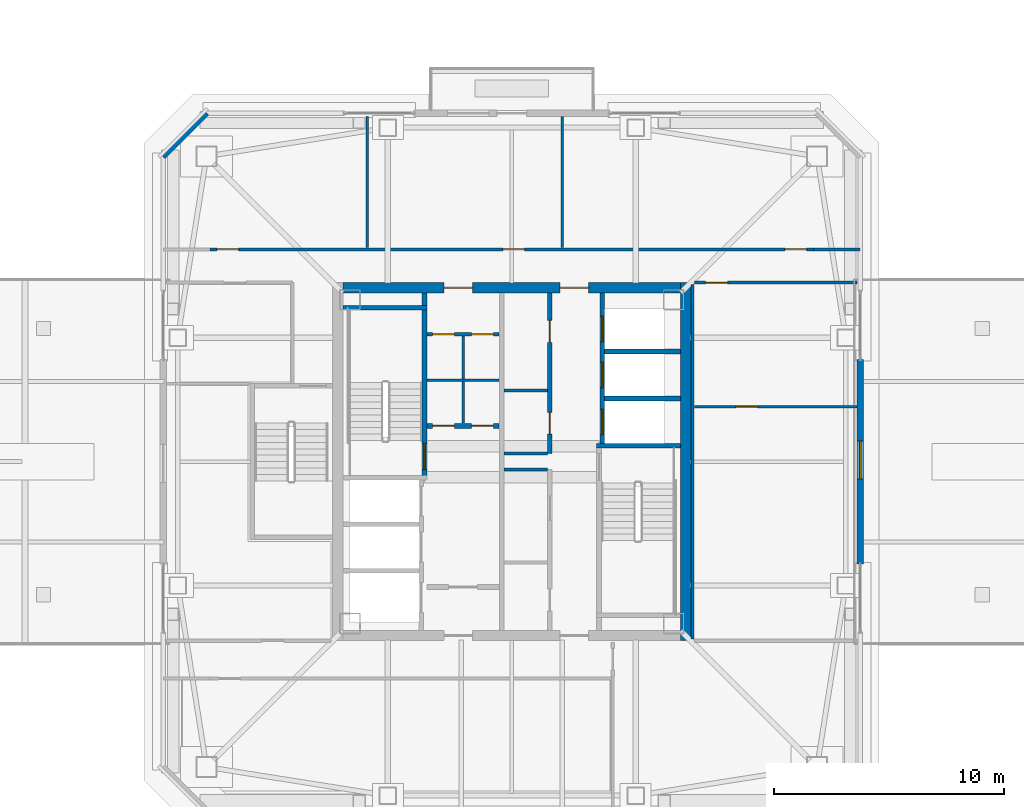
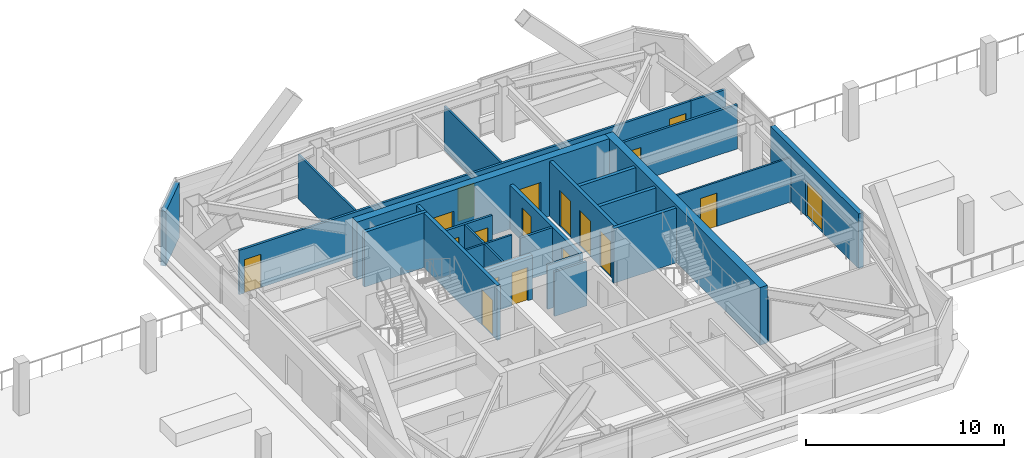
# One storey, part 28 of 37: 25 walls, 18 doors, 18 openings.
"""IFC4 building model written with IfcOpenShell, lengths in metres."""

from ifc_helpers import new_model, si_unit, direction, frame, frame_2d, origin, place, context, subcontext, project, spatial, rectangle, extrude, material, layer, layer_set, type_object, element, fill, save


model = new_model("IFC4")

# Units and contexts
model_context = context("Model", 3, precision=1e-05, world=origin(), true_north=direction((0.0, 1.0)))
body_context = subcontext(model_context, "Body", "Model", "MODEL_VIEW")
ifc_project = project(units=[si_unit("LENGTHUNIT", "METRE"), si_unit("AREAUNIT", "SQUARE_METRE"), si_unit("VOLUMEUNIT", "CUBIC_METRE"), si_unit("PLANEANGLEUNIT", "RADIAN"), si_unit("MASSUNIT", "GRAM", prefix="KILO")], contexts=[model_context])

# Site, building, storey
site_placement = place(None, origin())
site = spatial("IfcSite", under=ifc_project, at=site_placement, CompositionType="ELEMENT")
building_placement = place(site_placement, origin())
building = spatial("IfcBuilding", under=site, at=building_placement, Name="Tashvorn Skyway Center", CompositionType="ELEMENT")
storey_placement = place(building_placement, frame((0.0, 0.0, 263.39990234375)))
storey = spatial("IfcBuildingStorey", under=building, at=storey_placement, Name="L71", CompositionType="ELEMENT", Elevation=263.39990234375)

# Wall
ifc_material_1 = material(Name="Concrete C50/60", Category="concrete")
ifc_layer_1 = layer(ifc_material_1, 0.449951171875)
ifc_layer_set_1 = layer_set([ifc_layer_1], Name="Concrete C50/60")
wall_type_1 = type_object("IfcWallType", Name="WALL-CORE-450", PredefinedType="SHEAR", material=ifc_layer_set_1)
wall_1_placement = place(storey_placement, frame((49.574951171875, 39.800048828125, 0.0), z_axis=(0.0, 0.0, 1.0), x_axis=(0.0, -1.0, 0.0)))
element("IfcWall", 1, at=wall_1_placement, inside=storey, type_object=wall_type_1, Name="Tower 1 L71 East Core Shear Wall", PredefinedType="SHEAR", context=body_context, shape_type="SweptSolid", body=[
    extrude(rectangle(XDim=15.60009765625, YDim=0.449951171875, at=frame_2d((7.800048828125, 0.0))), origin(), (0.0, 0.0, 1.0), 3.550048828125),
])

# Wall, openings, doors
wall_2_placement = place(storey_placement, frame((34.64990234375, 39.574951171875, 0.0), z_axis=(0.0, 0.0, 1.0), x_axis=(1.0, 0.0, 0.0)))
wall_2 = element("IfcWall", 2, at=wall_2_placement, inside=storey, type_object=wall_type_1, Name="Tower 1 L71 North Core Shear Wall", PredefinedType="SHEAR", context=body_context, shape_type="SweptSolid", body=[
    extrude(rectangle(XDim=14.7001953125, YDim=0.449951171875, at=frame_2d((7.35009765625, 0.0))), origin(), (0.0, 0.0, 1.0), 3.550048828125),
])
opening_1_placement = place(wall_2_placement, frame((4.39990234375, 0.0, 0.0)))
opening_1 = element("IfcOpeningElement", 3, at=opening_1_placement, cuts=wall_2, Name="Opening D-FFL-1250", PredefinedType="OPENING", context=body_context, shape_type="SweptSolid", body=[
    extrude(rectangle(XDim=1.25, YDim=2.25, at=frame_2d((0.625, 1.125))), frame((0.0, 0.23486328125, 0.0), z_axis=(0.0, -1.0, 0.0), x_axis=(1.0, 0.0, 0.0)), (0.0, 0.0, 1.0), 0.469970703125),
])
opening_2_placement = place(wall_2_placement, frame((9.449951171875, 0.0, 0.0)))
opening_2 = element("IfcOpeningElement", 4, at=opening_2_placement, cuts=wall_2, Name="Opening D-FFL-1250", PredefinedType="OPENING", context=body_context, shape_type="SweptSolid", body=[
    extrude(rectangle(XDim=1.25, YDim=2.25, at=frame_2d((0.625, 1.125))), frame((0.0, 0.23486328125, 0.0), z_axis=(0.0, -1.0, 0.0), x_axis=(1.0, 0.0, 0.0)), (0.0, 0.0, 1.0), 0.469970703125),
])
ifc_material_2 = material(Name="Hollow galvanized steel fire door assembly", Category="steel")
door_type_1 = type_object("IfcDoorType", Name="DOOR-FFL-1250", OperationType="NOTDEFINED", PredefinedType="DOOR", material=ifc_material_2)
door_1_placement = place(opening_1_placement, origin())
door_1 = element("IfcDoor", 5, at=door_1_placement, inside=storey, type_object=door_type_1, Name="Tower 1 L71 Core North Service Lobby Door", OperationType="SINGLE_SWING_LEFT", OverallHeight=2.25, OverallWidth=1.25, PredefinedType="DOOR", context=body_context, shape_type="SweptSolid", body=[
    extrude(rectangle(XDim=1.25, YDim=2.25, at=frame_2d((0.625, 1.125))), frame((0.0, 0.02490234375, 0.0), z_axis=(0.0, -1.0, 0.0), x_axis=(1.0, 0.0, 0.0)), (0.0, 0.0, 1.0), 0.050048828125),
])
fill(opening_1, door_1)
door_2_placement = place(opening_2_placement, origin())
door_2 = element("IfcDoor", 6, at=door_2_placement, inside=storey, type_object=door_type_1, Name="Tower 1 L71 Core North Lift Lobby Door", OperationType="SINGLE_SWING_RIGHT", OverallHeight=2.25, OverallWidth=1.25, PredefinedType="DOOR", context=body_context, shape_type="SweptSolid", body=[
    extrude(rectangle(XDim=1.25, YDim=2.25, at=frame_2d((0.625, 1.125))), frame((0.0, 0.02490234375, 0.0), z_axis=(0.0, -1.0, 0.0), x_axis=(1.0, 0.0, 0.0)), (0.0, 0.0, 1.0), 0.050048828125),
])
fill(opening_2, door_2)

# Wall, opening, door
ifc_material_3 = material(Name="Precast concrete C40/50", Category="concrete")
ifc_layer_2 = layer(ifc_material_3, 0.280029296875)
ifc_layer_set_2 = layer_set([ifc_layer_2], Name="Precast concrete C40/50")
wall_type_2 = type_object("IfcWallType", Name="WALL-EXT-280", PredefinedType="SOLIDWALL", material=ifc_layer_set_2)
wall_3_placement = place(storey_placement, frame((57.179931640625, 36.449951171875, 0.0), z_axis=(0.0, 0.0, 1.0), x_axis=(0.0, -1.0, 0.0)))
wall_3 = element("IfcWall", 7, at=wall_3_placement, inside=storey, type_object=wall_type_2, Name="Tower 1 L71 East Sky-Park Promenade Portal Wall", PredefinedType="SOLIDWALL", context=body_context, shape_type="SweptSolid", body=[
    extrude(rectangle(XDim=8.89990234375, YDim=0.280029296875, at=frame_2d((4.449951171875, 0.0))), origin(), (0.0, 0.0, 1.0), 3.3701171875),
])
opening_3_placement = place(wall_3_placement, frame((3.550048828125, 0.0, 0.0)))
opening_3 = element("IfcOpeningElement", 8, at=opening_3_placement, cuts=wall_3, Name="Opening D-TER-1650", PredefinedType="OPENING", context=body_context, shape_type="SweptSolid", body=[
    extrude(rectangle(XDim=1.64990234375, YDim=2.199951171875, at=frame_2d((0.824951171875, 1.10009765625))), frame((0.0, 0.14990234375, 0.0), z_axis=(0.0, -1.0, 0.0), x_axis=(1.0, 0.0, 0.0)), (0.0, 0.0, 1.0), 0.300048828125),
])
ifc_material_4 = material(Name="Thermally broken bronze-anodized aluminium 6063-T6", Category="aluminium")
door_type_2 = type_object("IfcDoorType", Name="DOOR-TERR-1650", OperationType="DOUBLE_DOOR_SINGLE_SWING", PredefinedType="DOOR", material=ifc_material_4)
door_3_placement = place(opening_3_placement, origin())
door_3 = element("IfcDoor", 9, at=door_3_placement, inside=storey, type_object=door_type_2, Name="Tower 1 L71 East Sky-Park Promenade Double Door", OperationType="DOUBLE_DOOR_SINGLE_SWING", OverallHeight=2.199951171875, OverallWidth=1.64990234375, PredefinedType="DOOR", context=body_context, shape_type="SweptSolid", body=[
    extrude(rectangle(XDim=1.64990234375, YDim=2.199951171875, at=frame_2d((0.824951171875, 1.10009765625))), frame((0.0, 0.02490234375, 0.0), z_axis=(0.0, -1.0, 0.0), x_axis=(1.0, 0.0, 0.0)), (0.0, 0.0, 1.0), 0.050048828125),
])
fill(opening_3, door_3)

# Wall
wall_4_placement = place(storey_placement, frame((26.800048828125, 45.300048828125, 0.0), z_axis=(0.0, 0.0, 1.0), x_axis=(0.707106781187, 0.707106781187, 0.0)))
element("IfcWall", 10, at=wall_4_placement, inside=storey, type_object=wall_type_2, Name="Tower 1 L71 NW Precast Chamfer Wall", PredefinedType="SOLIDWALL", context=body_context, shape_type="SweptSolid", body=[
    extrude(rectangle(XDim=2.686767578125, YDim=0.280029296875, at=frame_2d((1.34326171875, 0.0))), origin(), (0.0, 0.0, 1.0), 3.3701171875),
])

# Wall, openings, doors
ifc_material_5 = material(Name="Concrete C40/50", Category="concrete")
ifc_layer_3 = layer(ifc_material_5, 0.219970703125)
ifc_layer_set_3 = layer_set([ifc_layer_3], Name="Concrete C40/50")
wall_type_3 = type_object("IfcWallType", Name="WALL-FFL-220", PredefinedType="SOLIDWALL", material=ifc_layer_set_3)
wall_5_placement = place(storey_placement, frame((38.300048828125, 33.56005859375, 0.0), z_axis=(0.0, 0.0, 1.0), x_axis=(1.0, 0.0, 0.0)))
wall_5 = element("IfcWall", 11, at=wall_5_placement, inside=storey, type_object=wall_type_3, Name="Tower 1 L71 Firefighting Lobby North Wall", PredefinedType="SOLIDWALL", context=body_context, shape_type="SweptSolid", body=[
    extrude(rectangle(XDim=3.14990234375, YDim=0.219970703125, at=frame_2d((1.574951171875, 0.0))), origin(), (0.0, 0.0, 1.0), 2.72314453125),
])
opening_4_placement = place(wall_5_placement, frame((0.25, 0.0, 0.0)))
opening_4 = element("IfcOpeningElement", 12, at=opening_4_placement, cuts=wall_5, Name="Opening D-RT-950", PredefinedType="OPENING", context=body_context, shape_type="SweptSolid", body=[
    extrude(rectangle(XDim=0.949951171875, YDim=2.050048828125, at=frame_2d((0.47509765625, 1.02490234375))), frame((0.0, 0.119873046875, 0.0), z_axis=(0.0, -1.0, 0.0), x_axis=(1.0, 0.0, 0.0)), (0.0, 0.0, 1.0), 0.239990234375),
])
opening_5_placement = place(wall_5_placement, frame((1.949951171875, 0.0, 0.0)))
opening_5 = element("IfcOpeningElement", 13, at=opening_5_placement, cuts=wall_5, Name="Opening D-RT-950", PredefinedType="OPENING", context=body_context, shape_type="SweptSolid", body=[
    extrude(rectangle(XDim=0.949951171875, YDim=2.050048828125, at=frame_2d((0.47509765625, 1.02490234375))), frame((0.0, 0.119873046875, 0.0), z_axis=(0.0, -1.0, 0.0), x_axis=(1.0, 0.0, 0.0)), (0.0, 0.0, 1.0), 0.239990234375),
])
door_type_3 = type_object("IfcDoorType", Name="DOOR-RATED-950", OperationType="NOTDEFINED", PredefinedType="DOOR", material=ifc_material_2)
door_4_placement = place(opening_4_placement, origin())
door_4 = element("IfcDoor", 14, at=door_4_placement, inside=storey, type_object=door_type_3, Name="Tower 1 L71 Core Mail Room Door", OperationType="SINGLE_SWING_LEFT", OverallHeight=2.050048828125, OverallWidth=0.949951171875, PredefinedType="DOOR", context=body_context, shape_type="SweptSolid", body=[
    extrude(rectangle(XDim=0.949951171875, YDim=2.050048828125, at=frame_2d((0.47509765625, 1.02490234375))), frame((0.0, 0.02490234375, 0.0), z_axis=(0.0, -1.0, 0.0), x_axis=(1.0, 0.0, 0.0)), (0.0, 0.0, 1.0), 0.050048828125),
])
fill(opening_4, door_4)
door_5_placement = place(opening_5_placement, origin())
door_5 = element("IfcDoor", 15, at=door_5_placement, inside=storey, type_object=door_type_3, Name="Tower 1 L71 Core Supply Closet Door", OperationType="SINGLE_SWING_RIGHT", OverallHeight=2.050048828125, OverallWidth=0.949951171875, PredefinedType="DOOR", context=body_context, shape_type="SweptSolid", body=[
    extrude(rectangle(XDim=0.949951171875, YDim=2.050048828125, at=frame_2d((0.47509765625, 1.02490234375))), frame((0.0, 0.02490234375, 0.0), z_axis=(0.0, -1.0, 0.0), x_axis=(1.0, 0.0, 0.0)), (0.0, 0.0, 1.0), 0.050048828125),
])
fill(opening_5, door_5)

# Walls
ifc_material_6 = material(Name="Gypsum board on cold-formed steel stud framing", Category="steel")
ifc_layer_4 = layer(ifc_material_6, 0.110107421875)
ifc_layer_set_4 = layer_set([ifc_layer_4], Name="Gypsum board on cold-formed steel stud framing")
wall_type_4 = type_object("IfcWallType", Name="WALL-PART-110", PredefinedType="PARTITIONING", material=ifc_layer_set_4)
for number, where, z_axis, x_axis, name in (
    (16, (35.699951171875, 41.330078125, 0.0), (0.0, 0.0, 1.0), (0.0, 1.0, 0.0), "Tower 1 L71 North Suite Partition 1"),
    (17, (44.199951171875, 41.330078125, 0.0), (0.0, 0.0, 1.0), (0.0, 1.0, 0.0), "Tower 1 L71 North Suite Partition 2"),
):
    element("IfcWall", number, at=place(storey_placement, frame(where, z_axis=z_axis, x_axis=x_axis)), inside=storey, type_object=wall_type_4, Name=name, PredefinedType="PARTITIONING", context=body_context, shape_type="SweptSolid", body=[
        extrude(rectangle(XDim=5.699951171875, YDim=0.110107421875, at=frame_2d((2.85009765625, 0.0))), origin(), (0.0, 0.0, 1.0), 2.72314453125),
    ])

# Wall, opening, door
wall_6_placement = place(storey_placement, frame((49.9599609375, 34.39990234375, 0.0), z_axis=(0.0, 0.0, 1.0), x_axis=(1.0, 0.0, 0.0)))
wall_6 = element("IfcWall", 18, at=wall_6_placement, inside=storey, type_object=wall_type_4, Name="Tower 1 L71 East Mid Partition", PredefinedType="PARTITIONING", context=body_context, shape_type="SweptSolid", body=[
    extrude(rectangle(XDim=7.070068359375, YDim=0.110107421875, at=frame_2d((3.53515625, 0.0))), origin(), (0.0, 0.0, 1.0), 2.72314453125),
])
opening_6_placement = place(wall_6_placement, frame((1.800048828125, 0.0, 0.0)))
opening_6 = element("IfcOpeningElement", 19, at=opening_6_placement, cuts=wall_6, Name="Opening D-INT-950", PredefinedType="OPENING", context=body_context, shape_type="SweptSolid", body=[
    extrude(rectangle(XDim=0.949951171875, YDim=2.050048828125, at=frame_2d((0.47509765625, 1.02490234375))), frame((0.0, 0.06494140625, 0.0), z_axis=(0.0, -1.0, 0.0), x_axis=(1.0, 0.0, 0.0)), (0.0, 0.0, 1.0), 0.130126953125),
])
ifc_material_7 = material(Name="Solid-core architectural oak veneer door")
door_type_4 = type_object("IfcDoorType", Name="DOOR-INT-950", OperationType="NOTDEFINED", PredefinedType="DOOR", material=ifc_material_7)
door_6_placement = place(opening_6_placement, origin())
door_6 = element("IfcDoor", 20, at=door_6_placement, inside=storey, type_object=door_type_4, Name="Tower 1 L71 Reading Lounge Door", OperationType="SINGLE_SWING_RIGHT", OverallHeight=2.050048828125, OverallWidth=0.949951171875, PredefinedType="DOOR", context=body_context, shape_type="SweptSolid", body=[
    extrude(rectangle(XDim=0.949951171875, YDim=2.050048828125, at=frame_2d((0.47509765625, 1.02490234375))), frame((0.0, 0.02490234375, 0.0), z_axis=(0.0, -1.0, 0.0), x_axis=(1.0, 0.0, 0.0)), (0.0, 0.0, 1.0), 0.050048828125),
])
fill(opening_6, door_6)

# Wall, openings, doors
ifc_layer_5 = layer(ifc_material_6, 0.135009765625)
ifc_layer_set_5 = layer_set([ifc_layer_5], Name="Gypsum board on cold-formed steel stud framing")
wall_type_5 = type_object("IfcWallType", Name="WALL-PART-135", PredefinedType="PARTITIONING", material=ifc_layer_set_5)
wall_7_placement = place(storey_placement, frame((28.85009765625, 41.25, 0.0), z_axis=(0.0, 0.0, 1.0), x_axis=(1.0, 0.0, 0.0)))
wall_7 = element("IfcWall", 21, at=wall_7_placement, inside=storey, type_object=wall_type_5, Name="Tower 1 L71 North Suite Wall", PredefinedType="PARTITIONING", context=body_context, shape_type="SweptSolid", body=[
    extrude(rectangle(XDim=26.2998046875, YDim=0.135009765625, at=frame_2d((13.14990234375, 0.0))), origin(), (0.0, 0.0, 1.0), 2.72314453125),
])
opening_7_placement = place(wall_7_placement, frame((0.300048828125, 0.0, 0.0)))
opening_7 = element("IfcOpeningElement", 22, at=opening_7_placement, cuts=wall_7, Name="Opening D-INT-950", PredefinedType="OPENING", context=body_context, shape_type="SweptSolid", body=[
    extrude(rectangle(XDim=0.949951171875, YDim=2.050048828125, at=frame_2d((0.47509765625, 1.02490234375))), frame((0.0, 0.077392578125, 0.0), z_axis=(0.0, -1.0, 0.0), x_axis=(1.0, 0.0, 0.0)), (0.0, 0.0, 1.0), 0.155029296875),
])
opening_8_placement = place(wall_7_placement, frame((12.7626953125, 0.0, 0.0)))
opening_8 = element("IfcOpeningElement", 23, at=opening_8_placement, cuts=wall_7, Name="Opening D-INT-950", PredefinedType="OPENING", context=body_context, shape_type="SweptSolid", body=[
    extrude(rectangle(XDim=0.949951171875, YDim=2.050048828125, at=frame_2d((0.47509765625, 1.02490234375))), frame((0.0, 0.077392578125, 0.0), z_axis=(0.0, -1.0, 0.0), x_axis=(1.0, 0.0, 0.0)), (0.0, 0.0, 1.0), 0.155029296875),
])
opening_9_placement = place(wall_7_placement, frame((25.050048828125, 0.0, 0.0)))
opening_9 = element("IfcOpeningElement", 24, at=opening_9_placement, cuts=wall_7, Name="Opening D-INT-950", PredefinedType="OPENING", context=body_context, shape_type="SweptSolid", body=[
    extrude(rectangle(XDim=0.949951171875, YDim=2.050048828125, at=frame_2d((0.47509765625, 1.02490234375))), frame((0.0, 0.077392578125, 0.0), z_axis=(0.0, -1.0, 0.0), x_axis=(1.0, 0.0, 0.0)), (0.0, 0.0, 1.0), 0.155029296875),
])
door_7_placement = place(opening_7_placement, origin())
door_7 = element("IfcDoor", 25, at=door_7_placement, inside=storey, type_object=door_type_4, Name="Tower 1 L71 Executive Study Lounge Door", OperationType="SINGLE_SWING_RIGHT", OverallHeight=2.050048828125, OverallWidth=0.949951171875, PredefinedType="DOOR", context=body_context, shape_type="SweptSolid", body=[
    extrude(rectangle(XDim=0.949951171875, YDim=2.050048828125, at=frame_2d((0.47509765625, 1.02490234375))), frame((0.0, 0.02490234375, 0.0), z_axis=(0.0, -1.0, 0.0), x_axis=(1.0, 0.0, 0.0)), (0.0, 0.0, 1.0), 0.050048828125),
])
fill(opening_7, door_7)
door_8_placement = place(opening_8_placement, origin())
door_8 = element("IfcDoor", 26, at=door_8_placement, inside=storey, type_object=door_type_4, Name="Tower 1 L71 Executive Study Lounge Door", OperationType="SINGLE_SWING_LEFT", OverallHeight=2.050048828125, OverallWidth=0.949951171875, PredefinedType="DOOR", context=body_context, shape_type="SweptSolid", body=[
    extrude(rectangle(XDim=0.949951171875, YDim=2.050048828125, at=frame_2d((0.47509765625, 1.02490234375))), frame((0.0, 0.02490234375, 0.0), z_axis=(0.0, -1.0, 0.0), x_axis=(1.0, 0.0, 0.0)), (0.0, 0.0, 1.0), 0.050048828125),
])
fill(opening_8, door_8)
door_9_placement = place(opening_9_placement, origin())
door_9 = element("IfcDoor", 27, at=door_9_placement, inside=storey, type_object=door_type_4, Name="Tower 1 L71 Reading Lounge Door", OperationType="SINGLE_SWING_RIGHT", OverallHeight=2.050048828125, OverallWidth=0.949951171875, PredefinedType="DOOR", context=body_context, shape_type="SweptSolid", body=[
    extrude(rectangle(XDim=0.949951171875, YDim=2.050048828125, at=frame_2d((0.47509765625, 1.02490234375))), frame((0.0, 0.02490234375, 0.0), z_axis=(0.0, -1.0, 0.0), x_axis=(1.0, 0.0, 0.0)), (0.0, 0.0, 1.0), 0.050048828125),
])
fill(opening_9, door_9)

# Walls
wall_8_placement = place(storey_placement, frame((55.14990234375, 41.25, 0.0), z_axis=(0.0, 0.0, 1.0), x_axis=(1.0, 0.0, 0.0)))
element("IfcWall", 28, at=wall_8_placement, inside=storey, type_object=wall_type_5, Name="Tower 1 L71 North-East Suite South Wall", PredefinedType="PARTITIONING", context=body_context, shape_type="SweptSolid", body=[
    extrude(rectangle(XDim=2.030029296875, YDim=0.135009765625, at=frame_2d((1.01513671875, 0.0))), origin(), (0.0, 0.0, 1.0), 2.72314453125),
])
wall_9_placement = place(storey_placement, frame((49.8798828125, 39.719970703125, 0.0), z_axis=(0.0, 0.0, 1.0), x_axis=(0.0, -1.0, 0.0)))
element("IfcWall", 29, at=wall_9_placement, inside=storey, type_object=wall_type_5, Name="Tower 1 L71 East Inner Suite Wall", PredefinedType="PARTITIONING", context=body_context, shape_type="SweptSolid", body=[
    extrude(rectangle(XDim=15.43994140625, YDim=0.135009765625, at=frame_2d((7.719970703125, 0.0))), origin(), (0.0, 0.0, 1.0), 2.72314453125),
])

# Wall, opening, door
wall_10_placement = place(storey_placement, frame((57.030029296875, 39.800048828125, 0.0), z_axis=(0.0, 0.0, 1.0), x_axis=(-1.0, 0.0, 0.0)))
wall_10 = element("IfcWall", 30, at=wall_10_placement, inside=storey, type_object=wall_type_5, Name="Tower 1 L71 East Suite North Wall", PredefinedType="PARTITIONING", context=body_context, shape_type="SweptSolid", body=[
    extrude(rectangle(XDim=7.070068359375, YDim=0.135009765625, at=frame_2d((3.53515625, 0.0))), origin(), (0.0, 0.0, 1.0), 2.72314453125),
])
opening_10_placement = place(wall_10_placement, frame((5.6298828125, 0.0, 0.0)))
opening_10 = element("IfcOpeningElement", 31, at=opening_10_placement, cuts=wall_10, Name="Opening D-INT-950", PredefinedType="OPENING", context=body_context, shape_type="SweptSolid", body=[
    extrude(rectangle(XDim=0.949951171875, YDim=2.050048828125, at=frame_2d((0.47509765625, 1.02490234375))), frame((0.0, 0.077392578125, 0.0), z_axis=(0.0, -1.0, 0.0), x_axis=(1.0, 0.0, 0.0)), (0.0, 0.0, 1.0), 0.155029296875),
])
door_10_placement = place(opening_10_placement, origin())
door_10 = element("IfcDoor", 32, at=door_10_placement, inside=storey, type_object=door_type_4, Name="Tower 1 L71 Open Plan Office Door", OperationType="SINGLE_SWING_LEFT", OverallHeight=2.050048828125, OverallWidth=0.949951171875, PredefinedType="DOOR", context=body_context, shape_type="SweptSolid", body=[
    extrude(rectangle(XDim=0.949951171875, YDim=2.050048828125, at=frame_2d((0.47509765625, 1.02490234375))), frame((0.0, 0.02490234375, 0.0), z_axis=(0.0, -1.0, 0.0), x_axis=(1.0, 0.0, 0.0)), (0.0, 0.0, 1.0), 0.050048828125),
])
fill(opening_10, door_10)

# Walls
ifc_layer_6 = layer(ifc_material_6, 0.110107421875)
ifc_layer_set_6 = layer_set([ifc_layer_6], Name="Gypsum board on cold-formed steel stud framing")
wall_type_6 = type_object("IfcWallType", Name="WALL-RATED-110", PredefinedType="PARTITIONING", material=ifc_layer_set_6)
wall_11_placement = place(storey_placement, frame((39.8798828125, 33.679931640625, 0.0), z_axis=(0.0, 0.0, 1.0), x_axis=(0.0, 1.0, 0.0)))
element("IfcWall", 33, at=wall_11_placement, inside=storey, type_object=wall_type_6, Name="Tower 1 L71 Core Cross Vertical", PredefinedType="PARTITIONING", context=body_context, shape_type="SweptSolid", body=[
    extrude(rectangle(XDim=3.800048828125, YDim=0.110107421875, at=frame_2d((1.89990234375, 0.0))), origin(), (0.0, 0.0, 1.0), 2.72314453125),
])
wall_12_placement = place(storey_placement, frame((38.300048828125, 35.550048828125, 0.0), z_axis=(0.0, 0.0, 1.0), x_axis=(1.0, 0.0, 0.0)))
element("IfcWall", 34, at=wall_12_placement, inside=storey, type_object=wall_type_6, Name="Tower 1 L71 Core Cross Horizontal", PredefinedType="PARTITIONING", context=body_context, shape_type="SweptSolid", body=[
    extrude(rectangle(XDim=3.14990234375, YDim=0.110107421875, at=frame_2d((1.574951171875, 0.0))), origin(), (0.0, 0.0, 1.0), 2.72314453125),
])

# Wall, openings, doors
ifc_layer_7 = layer(ifc_material_6, 0.135009765625)
ifc_layer_set_7 = layer_set([ifc_layer_7], Name="Gypsum board on cold-formed steel stud framing")
wall_type_7 = type_object("IfcWallType", Name="WALL-RATED-135", PredefinedType="PARTITIONING", material=ifc_layer_set_7)
wall_13_placement = place(storey_placement, frame((38.300048828125, 37.550048828125, 0.0), z_axis=(0.0, 0.0, 1.0), x_axis=(1.0, 0.0, 0.0)))
wall_13 = element("IfcWall", 35, at=wall_13_placement, inside=storey, type_object=wall_type_7, Name="Tower 1 L71 Core Service Lobby Wall", PredefinedType="PARTITIONING", context=body_context, shape_type="SweptSolid", body=[
    extrude(rectangle(XDim=3.14990234375, YDim=0.135009765625, at=frame_2d((1.574951171875, 0.0))), origin(), (0.0, 0.0, 1.0), 2.72314453125),
])
opening_11_placement = place(wall_13_placement, frame((0.25, 0.0, 0.0)))
opening_11 = element("IfcOpeningElement", 36, at=opening_11_placement, cuts=wall_13, Name="Opening D-RT-950", PredefinedType="OPENING", context=body_context, shape_type="SweptSolid", body=[
    extrude(rectangle(XDim=0.949951171875, YDim=2.050048828125, at=frame_2d((0.47509765625, 1.02490234375))), frame((0.0, 0.077392578125, 0.0), z_axis=(0.0, -1.0, 0.0), x_axis=(1.0, 0.0, 0.0)), (0.0, 0.0, 1.0), 0.155029296875),
])
opening_12_placement = place(wall_13_placement, frame((1.949951171875, 0.0, 0.0)))
opening_12 = element("IfcOpeningElement", 37, at=opening_12_placement, cuts=wall_13, Name="Opening D-RT-950", PredefinedType="OPENING", context=body_context, shape_type="SweptSolid", body=[
    extrude(rectangle(XDim=0.949951171875, YDim=2.050048828125, at=frame_2d((0.47509765625, 1.02490234375))), frame((0.0, 0.077392578125, 0.0), z_axis=(0.0, -1.0, 0.0), x_axis=(1.0, 0.0, 0.0)), (0.0, 0.0, 1.0), 0.155029296875),
])
door_11_placement = place(opening_11_placement, origin())
door_11 = element("IfcDoor", 38, at=door_11_placement, inside=storey, type_object=door_type_3, Name="Tower 1 L71 Core Cleaner Store Door", OperationType="SINGLE_SWING_LEFT", OverallHeight=2.050048828125, OverallWidth=0.949951171875, PredefinedType="DOOR", context=body_context, shape_type="SweptSolid", body=[
    extrude(rectangle(XDim=0.949951171875, YDim=2.050048828125, at=frame_2d((0.47509765625, 1.02490234375))), frame((0.0, 0.02490234375, 0.0), z_axis=(0.0, -1.0, 0.0), x_axis=(1.0, 0.0, 0.0)), (0.0, 0.0, 1.0), 0.050048828125),
])
fill(opening_11, door_11)
door_12_placement = place(opening_12_placement, origin())
door_12 = element("IfcDoor", 39, at=door_12_placement, inside=storey, type_object=door_type_3, Name="Tower 1 L71 Core Accessible WC Door", OperationType="SINGLE_SWING_RIGHT", OverallHeight=2.050048828125, OverallWidth=0.949951171875, PredefinedType="DOOR", context=body_context, shape_type="SweptSolid", body=[
    extrude(rectangle(XDim=0.949951171875, YDim=2.050048828125, at=frame_2d((0.47509765625, 1.02490234375))), frame((0.0, 0.02490234375, 0.0), z_axis=(0.0, -1.0, 0.0), x_axis=(1.0, 0.0, 0.0)), (0.0, 0.0, 1.0), 0.050048828125),
])
fill(opening_12, door_12)

# Walls
for number, where, z_axis, x_axis, name in (
    (40, (41.669921875, 31.64990234375, 0.0), (0.0, 0.0, 1.0), (1.0, 0.0, 0.0), "Tower 1 L71 Core Room Partition"),
    (41, (41.669921875, 32.35009765625, 0.0), (0.0, 0.0, 1.0), (1.0, 0.0, 0.0), "Tower 1 L71 Core Room Partition"),
    (42, (41.669921875, 35.10009765625, 0.0), (0.0, 0.0, 1.0), (1.0, 0.0, 0.0), "Tower 1 L71 Freed Mid-Rise Partition"),
):
    element("IfcWall", number, at=place(storey_placement, frame(where, z_axis=z_axis, x_axis=x_axis)), inside=storey, type_object=wall_type_7, Name=name, PredefinedType="PARTITIONING", context=body_context, shape_type="SweptSolid", body=[
        extrude(rectangle(XDim=1.880126953125, YDim=0.135009765625, at=frame_2d((0.93994140625, 0.0))), origin(), (0.0, 0.0, 1.0), 2.72314453125),
    ])
ifc_layer_8 = layer(ifc_material_5, 0.199951171875)
ifc_layer_set_8 = layer_set([ifc_layer_8], Name="Concrete C40/50")
wall_type_8 = type_object("IfcWallType", Name="WALL-SHAFT-200", PredefinedType="SOLIDWALL", material=ifc_layer_set_8)
for number, where, z_axis, x_axis, name in (
    (43, (46.050048828125, 34.75, 0.0), (0.0, 0.0, 1.0), (1.0, 0.0, 0.0), "Tower 1 L71 High-Rise Shaft Divider"),
    (44, (46.050048828125, 36.800048828125, 0.0), (0.0, 0.0, 1.0), (1.0, 0.0, 0.0), "Tower 1 L71 High-Rise Shaft Divider"),
):
    element("IfcWall", number, at=place(storey_placement, frame(where, z_axis=z_axis, x_axis=x_axis)), inside=storey, type_object=wall_type_8, Name=name, PredefinedType="SOLIDWALL", context=body_context, shape_type="SweptSolid", body=[
        extrude(rectangle(XDim=3.300048828125, YDim=0.199951171875, at=frame_2d((1.64990234375, 0.0))), origin(), (0.0, 0.0, 1.0), 3.3701171875),
    ])

# Wall, openings, doors
wall_14_placement = place(storey_placement, frame((43.64990234375, 32.35009765625, 0.0), z_axis=(0.0, 0.0, 1.0), x_axis=(0.0, 1.0, 0.0)))
wall_14 = element("IfcWall", 45, at=wall_14_placement, inside=storey, type_object=wall_type_8, Name="Tower 1 L71 Mid-Rise Core Wall", PredefinedType="SOLIDWALL", context=body_context, shape_type="SweptSolid", body=[
    extrude(rectangle(XDim=7.0, YDim=0.199951171875, at=frame_2d((3.5, 0.0))), origin(), (0.0, 0.0, 1.0), 2.72314453125),
])
opening_13_placement = place(wall_14_placement, frame((0.85009765625, 0.0, 0.0)))
opening_13 = element("IfcOpeningElement", 46, at=opening_13_placement, cuts=wall_14, Name="Opening D-RT-950", PredefinedType="OPENING", context=body_context, shape_type="SweptSolid", body=[
    extrude(rectangle(XDim=0.949951171875, YDim=2.050048828125, at=frame_2d((0.47509765625, 1.02490234375))), frame((0.0, 0.10986328125, 0.0), z_axis=(0.0, -1.0, 0.0), x_axis=(1.0, 0.0, 0.0)), (0.0, 0.0, 1.0), 0.219970703125),
])
opening_14_placement = place(wall_14_placement, frame((4.85009765625, 0.0, 0.0)))
opening_14 = element("IfcOpeningElement", 47, at=opening_14_placement, cuts=wall_14, Name="Opening D-RT-950", PredefinedType="OPENING", context=body_context, shape_type="SweptSolid", body=[
    extrude(rectangle(XDim=0.949951171875, YDim=2.050048828125, at=frame_2d((0.47509765625, 1.02490234375))), frame((0.0, 0.10986328125, 0.0), z_axis=(0.0, -1.0, 0.0), x_axis=(1.0, 0.0, 0.0)), (0.0, 0.0, 1.0), 0.219970703125),
])
door_13_placement = place(opening_13_placement, origin())
door_13 = element("IfcDoor", 48, at=door_13_placement, inside=storey, type_object=door_type_3, Name="Tower 1 L71 Core IT Room Door", OperationType="SINGLE_SWING_RIGHT", OverallHeight=2.050048828125, OverallWidth=0.949951171875, PredefinedType="DOOR", context=body_context, shape_type="SweptSolid", body=[
    extrude(rectangle(XDim=0.949951171875, YDim=2.050048828125, at=frame_2d((0.47509765625, 1.02490234375))), frame((0.0, 0.02490234375, 0.0), z_axis=(0.0, -1.0, 0.0), x_axis=(1.0, 0.0, 0.0)), (0.0, 0.0, 1.0), 0.050048828125),
])
fill(opening_13, door_13)
door_14_placement = place(opening_14_placement, origin())
door_14 = element("IfcDoor", 49, at=door_14_placement, inside=storey, type_object=door_type_3, Name="Tower 1 L71 Core Catering Pantry Door", OperationType="SINGLE_SWING_LEFT", OverallHeight=2.050048828125, OverallWidth=0.949951171875, PredefinedType="DOOR", context=body_context, shape_type="SweptSolid", body=[
    extrude(rectangle(XDim=0.949951171875, YDim=2.050048828125, at=frame_2d((0.47509765625, 1.02490234375))), frame((0.0, 0.02490234375, 0.0), z_axis=(0.0, -1.0, 0.0), x_axis=(1.0, 0.0, 0.0)), (0.0, 0.0, 1.0), 0.050048828125),
])
fill(opening_14, door_14)

# Wall, opening, door
ifc_layer_9 = layer(ifc_material_5, 0.199951171875)
ifc_layer_set_9 = layer_set([ifc_layer_9], Name="Concrete C40/50")
wall_type_9 = type_object("IfcWallType", Name="WALL-STSHF-200", PredefinedType="SHEAR", material=ifc_layer_set_9)
wall_15_placement = place(storey_placement, frame((38.199951171875, 31.199951171875, 0.0), z_axis=(0.0, 0.0, 1.0), x_axis=(0.0, 1.0, 0.0)))
wall_15 = element("IfcWall", 50, at=wall_15_placement, inside=storey, type_object=wall_type_9, Name="Tower 1 L71 Stair 1 Enclosure Wall", PredefinedType="SHEAR", context=body_context, shape_type="SweptSolid", body=[
    extrude(rectangle(XDim=8.150146484375, YDim=0.199951171875, at=frame_2d((4.0751953125, 0.0))), origin(), (0.0, 0.0, 1.0), 3.3701171875),
])
opening_15_placement = place(wall_15_placement, frame((0.449951171875, 0.0, 0.0)))
opening_15 = element("IfcOpeningElement", 51, at=opening_15_placement, cuts=wall_15, Name="Opening D-ST-1150", PredefinedType="OPENING", context=body_context, shape_type="SweptSolid", body=[
    extrude(rectangle(XDim=1.14990234375, YDim=2.199951171875, at=frame_2d((0.574951171875, 1.10009765625))), frame((0.0, 0.10986328125, 0.0), z_axis=(0.0, -1.0, 0.0), x_axis=(1.0, 0.0, 0.0)), (0.0, 0.0, 1.0), 0.219970703125),
])
door_type_5 = type_object("IfcDoorType", Name="DOOR-STAIR-1150", OperationType="NOTDEFINED", PredefinedType="DOOR", material=ifc_material_2)
door_15_placement = place(opening_15_placement, origin())
door_15 = element("IfcDoor", 52, at=door_15_placement, inside=storey, type_object=door_type_5, Name="Tower 1 L71 Exit Stair 1 Door", OperationType="SINGLE_SWING_RIGHT", OverallHeight=2.199951171875, OverallWidth=1.14990234375, PredefinedType="DOOR", context=body_context, shape_type="SweptSolid", body=[
    extrude(rectangle(XDim=1.14990234375, YDim=2.199951171875, at=frame_2d((0.574951171875, 1.10009765625))), frame((0.0, 0.02490234375, 0.0), z_axis=(0.0, -1.0, 0.0), x_axis=(1.0, 0.0, 0.0)), (0.0, 0.0, 1.0), 0.050048828125),
])
fill(opening_15, door_15)

# Walls
for number, where, z_axis, x_axis, name in (
    (53, (34.64990234375, 38.699951171875, 0.0), (0.0, 0.0, 1.0), (1.0, 0.0, 0.0), "Tower 1 L71 Stair 1 North Wall"),
    (54, (45.699951171875, 32.699951171875, 0.0), (0.0, 0.0, 1.0), (1.0, 0.0, 0.0), "Tower 1 L71 Stair 2 North Wall"),
):
    element("IfcWall", number, at=place(storey_placement, frame(where, z_axis=z_axis, x_axis=x_axis)), inside=storey, type_object=wall_type_9, Name=name, PredefinedType="SHEAR", context=body_context, shape_type="SweptSolid", body=[
        extrude(rectangle(XDim=3.650146484375, YDim=0.199951171875, at=frame_2d((1.8251953125, 0.0))), origin(), (0.0, 0.0, 1.0), 3.3701171875),
    ])

# Wall, openings, doors
wall_16_placement = place(storey_placement, frame((45.949951171875, 39.35009765625, 0.0), z_axis=(0.0, 0.0, 1.0), x_axis=(0.0, -1.0, 0.0)))
wall_16 = element("IfcWall", 55, at=wall_16_placement, inside=storey, type_object=wall_type_9, Name="Tower 1 L71 High-Rise Lift Shaft Front Wall", PredefinedType="SHEAR", context=body_context, shape_type="SweptSolid", body=[
    extrude(rectangle(XDim=6.550048828125, YDim=0.199951171875, at=frame_2d((3.27490234375, 0.0))), origin(), (0.0, 0.0, 1.0), 3.3701171875),
])
opening_16_placement = place(wall_16_placement, frame((5.074951171875, 0.0, 0.0)))
opening_16 = element("IfcOpeningElement", 56, at=opening_16_placement, cuts=wall_16, Name="Opening LD-HR-T1-1-L71", PredefinedType="OPENING", context=body_context, shape_type="SweptSolid", body=[
    extrude(rectangle(XDim=1.10009765625, YDim=2.199951171875, at=frame_2d((0.550048828125, 1.10009765625))), frame((0.0, 0.10986328125, 0.0), z_axis=(0.0, -1.0, 0.0), x_axis=(1.0, 0.0, 0.0)), (0.0, 0.0, 1.0), 0.219970703125),
])
opening_17_placement = place(wall_16_placement, frame((3.02490234375, 0.0, 0.0)))
opening_17 = element("IfcOpeningElement", 57, at=opening_17_placement, cuts=wall_16, Name="Opening LD-HR-T1-2-L71", PredefinedType="OPENING", context=body_context, shape_type="SweptSolid", body=[
    extrude(rectangle(XDim=1.10009765625, YDim=2.199951171875, at=frame_2d((0.550048828125, 1.10009765625))), frame((0.0, 0.10986328125, 0.0), z_axis=(0.0, -1.0, 0.0), x_axis=(1.0, 0.0, 0.0)), (0.0, 0.0, 1.0), 0.219970703125),
])
opening_18_placement = place(wall_16_placement, frame((1.02490234375, 0.0, 0.0)))
opening_18 = element("IfcOpeningElement", 58, at=opening_18_placement, cuts=wall_16, Name="Opening LD-HR-T1-3-L71", PredefinedType="OPENING", context=body_context, shape_type="SweptSolid", body=[
    extrude(rectangle(XDim=1.10009765625, YDim=2.199951171875, at=frame_2d((0.550048828125, 1.10009765625))), frame((0.0, 0.10986328125, 0.0), z_axis=(0.0, -1.0, 0.0), x_axis=(1.0, 0.0, 0.0)), (0.0, 0.0, 1.0), 0.219970703125),
])
ifc_material_8 = material(Name="Stainless steel landing door", Category="steel")
door_type_6 = type_object("IfcDoorType", Name="DOOR-LIFT-1100", OperationType="SLIDING_TO_LEFT", PredefinedType="DOOR", material=ifc_material_8)
door_16_placement = place(opening_16_placement, origin())
door_16 = element("IfcDoor", 59, at=door_16_placement, inside=storey, type_object=door_type_6, Name="Lift HR-T1-1 L71 Landing Door", OperationType="SLIDING_TO_LEFT", OverallHeight=2.199951171875, OverallWidth=1.10009765625, PredefinedType="DOOR", context=body_context, shape_type="SweptSolid", body=[
    extrude(rectangle(XDim=1.10009765625, YDim=2.199951171875, at=frame_2d((0.550048828125, 1.10009765625))), frame((0.0, 0.02490234375, 0.0), z_axis=(0.0, -1.0, 0.0), x_axis=(1.0, 0.0, 0.0)), (0.0, 0.0, 1.0), 0.050048828125),
])
fill(opening_16, door_16)
door_17_placement = place(opening_17_placement, origin())
door_17 = element("IfcDoor", 60, at=door_17_placement, inside=storey, type_object=door_type_6, Name="Lift HR-T1-2 L71 Landing Door", OperationType="SLIDING_TO_LEFT", OverallHeight=2.199951171875, OverallWidth=1.10009765625, PredefinedType="DOOR", context=body_context, shape_type="SweptSolid", body=[
    extrude(rectangle(XDim=1.10009765625, YDim=2.199951171875, at=frame_2d((0.550048828125, 1.10009765625))), frame((0.0, 0.02490234375, 0.0), z_axis=(0.0, -1.0, 0.0), x_axis=(1.0, 0.0, 0.0)), (0.0, 0.0, 1.0), 0.050048828125),
])
fill(opening_17, door_17)
door_18_placement = place(opening_18_placement, origin())
door_18 = element("IfcDoor", 61, at=door_18_placement, inside=storey, type_object=door_type_6, Name="Lift HR-T1-3 L71 Landing Door", OperationType="SLIDING_TO_LEFT", OverallHeight=2.199951171875, OverallWidth=1.10009765625, PredefinedType="DOOR", context=body_context, shape_type="SweptSolid", body=[
    extrude(rectangle(XDim=1.10009765625, YDim=2.199951171875, at=frame_2d((0.550048828125, 1.10009765625))), frame((0.0, 0.02490234375, 0.0), z_axis=(0.0, -1.0, 0.0), x_axis=(1.0, 0.0, 0.0)), (0.0, 0.0, 1.0), 0.050048828125),
])
fill(opening_18, door_18)

save(model, "model.ifc")
